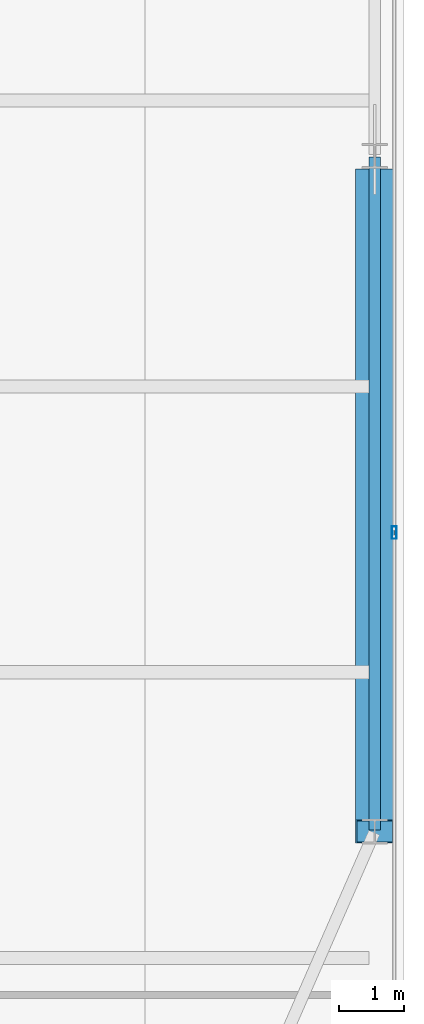
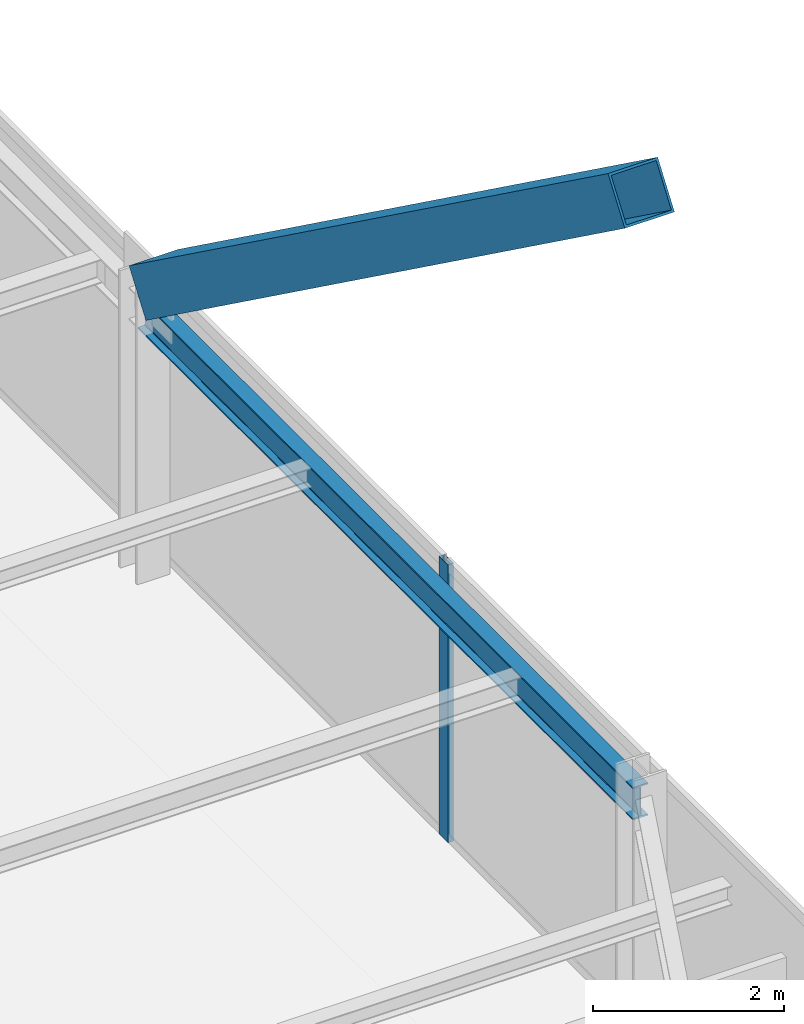
# One storey, part 18 of 37: 2 members, 1 beam, 1 element without a shape of its own.
"""IFC4 building model written with IfcOpenShell, lengths in metres."""

from ifc_helpers import new_model, si_unit, direction, frame, origin, origin_2d, place, context, subcontext, project, spatial, hollow_rectangle, i_section, extrude, source, transform, mapped, material, layer, layer_set, material_profile, profile_set, type_object, type_shapes, element, aggregate, save


model = new_model("IFC4")

# Units and contexts
model_context = context("Model", 3, precision=1e-05, world=origin(), true_north=direction((0.0, 1.0)))
body_context = subcontext(model_context, "Body", "Model", "MODEL_VIEW")
ifc_project = project(units=[si_unit("LENGTHUNIT", "METRE"), si_unit("AREAUNIT", "SQUARE_METRE"), si_unit("VOLUMEUNIT", "CUBIC_METRE"), si_unit("PLANEANGLEUNIT", "RADIAN"), si_unit("MASSUNIT", "GRAM", prefix="KILO")], contexts=[model_context])

# Site, building, storey
site_placement = place(None, origin())
site = spatial("IfcSite", under=ifc_project, at=site_placement, CompositionType="ELEMENT")
building_placement = place(site_placement, origin())
building = spatial("IfcBuilding", under=site, at=building_placement, Name="Varnel Quay Broadcast Tower", CompositionType="ELEMENT")
storey_placement = place(building_placement, frame((0.0, 0.0, 106.800048828125)))
storey = spatial("IfcBuildingStorey", under=building, at=storey_placement, Name="L25", CompositionType="ELEMENT", Elevation=106.800048828125)

# Beam
ifc_material_1 = material(Name="Structural Steel CSA G40.21 350W", Category="steel")
ifc_material_profile_1 = material_profile(ifc_material_1, i_section(OverallWidth=0.180908203125, OverallDepth=0.4169921875, WebThickness=0.010986328125, FlangeThickness=0.018310546875, FilletRadius=0.011962890625, at=origin_2d()), Name="W410X85")
ifc_profile_set_1 = profile_set([ifc_material_profile_1], Name="Structural Steel CSA G40.21 350W")
beam_type = type_object("IfcBeamType", Name="Beam_W410X85", PredefinedType="SPANDREL", material=ifc_profile_set_1)
shared_shape_1 = source(origin(), body_context, "Body", "SweptSolid", [
    extrude(i_section(OverallWidth=0.180908203125, OverallDepth=0.4169921875, WebThickness=0.010986328125, FlangeThickness=0.018310546875, FilletRadius=0.011962890625, at=origin_2d()), origin(), (0.0, 0.0, 1.0), 10.35986328125),
])
type_shapes(beam_type, [shared_shape_1])
beam_placement = place(storey_placement, frame((63.050048828125, 15.02001953125, 3.341552734375), z_axis=(0.0, 1.0, 0.0), x_axis=(-1.0, 0.0, 0.0)))
element("IfcBeam", 1, at=beam_placement, inside=storey, type_object=beam_type, Name="L25 East Spandrel TC-E1-TC-E2", PredefinedType="SPANDREL", context=body_context, shape_type="MappedRepresentation", body=[
    mapped(shared_shape_1, transform((0.0, 0.0, 0.0), x_axis=(1.0, 0.0, 0.0), y_axis=(0.0, 1.0, 0.0), z_axis=(0.0, 0.0, 1.0), scale=1.0)),
])

# Member
ifc_material_2 = material(Name="Structural Steel CSA G40.21 350WT", Category="steel")
ifc_material_profile_2 = material_profile(ifc_material_2, hollow_rectangle(XDim=0.60009765625, YDim=0.60009765625, WallThickness=0.028076171875, at=origin_2d()), Name="BOX600X600X28")
ifc_profile_set_2 = profile_set([ifc_material_profile_2], Name="Structural Steel CSA G40.21 350WT")
member_type_1 = type_object("IfcMemberType", Name="Brace_BOX600X600X28", PredefinedType="BRACE", material=ifc_profile_set_2)
shared_shape_2 = source(origin(), body_context, "Body", "SweptSolid", [
    extrude(hollow_rectangle(XDim=0.60009765625, YDim=0.60009765625, WallThickness=0.028076171875, at=origin_2d()), origin(), (0.0, 0.0, 1.0), 12.3740234375),
])
type_shapes(member_type_1, [shared_shape_2])
member_1_placement = place(storey_placement, frame((63.050048828125, 25.02392578125, 3.874755859375), z_axis=(0.0, -0.810079456088, 0.586320112928), x_axis=(1.0, 0.0, 0.0)))
element("IfcMember", 2, at=member_1_placement, inside=storey, type_object=member_type_1, Name="Zone 2 Mega-Brace E-FT2 Split Diag B2", PredefinedType="BRACE", context=body_context, shape_type="MappedRepresentation", body=[
    mapped(shared_shape_2, transform((0.0, 0.0, 0.0), x_axis=(1.0, 0.0, 0.0), y_axis=(0.0, 1.0, 0.0), z_axis=(0.0, 0.0, 1.0), scale=1.0)),
])

# Curtain wall, member
ifc_material_3 = material(Name="Anodised Bronze Aluminium 6063-T6", Category="aluminium")
ifc_layer = layer(ifc_material_3, 0.18994140625, Name="Anodised Bronze Aluminium 6063-T6")
ifc_layer_set = layer_set([ifc_layer], Name="Anodised Bronze Aluminium 6063-T6")
curtain_wall_type = type_object("IfcCurtainWallType", Name="CW_LowerTower", PredefinedType="NOTDEFINED", material=ifc_layer_set)
curtain_wall_placement = place(storey_placement, origin())
curtain_wall = element("IfcCurtainWall", 3, at=curtain_wall_placement, inside=storey, type_object=curtain_wall_type, Name="L25 East Unitised Curtain Wall", PredefinedType="NOTDEFINED")
ifc_material_profile_3 = material_profile(ifc_material_3, hollow_rectangle(XDim=0.070068359375, YDim=0.18994140625, WallThickness=0.00390625, at=origin_2d()), Name="ALU70X190X4")
ifc_profile_set_3 = profile_set([ifc_material_profile_3], Name="Anodised Bronze Aluminium 6063-T6")
member_type_2 = type_object("IfcMemberType", Name="Mull_CWS-02", PredefinedType="MULLION", material=ifc_profile_set_3)
shared_shape_3 = source(origin(), body_context, "Body", "SweptSolid", [
    extrude(hollow_rectangle(XDim=0.070068359375, YDim=0.18994140625, WallThickness=0.00390625, at=origin_2d()), origin(), (0.0, 0.0, 1.0), 3.550048828125),
])
type_shapes(member_type_2, [shared_shape_3])
member_2_placement = place(storey_placement, frame((63.35009765625, 19.60009765625, 0.0), z_axis=(0.0, 0.0, 1.0), x_axis=(-1.0, 0.0, 0.0)))
member_2 = element("IfcMember", 4, at=member_2_placement, type_object=member_type_2, Name="CWS-02 mullion 2", PredefinedType="MULLION", context=body_context, shape_type="MappedRepresentation", body=[
    mapped(shared_shape_3, transform((0.0, 0.0, 0.0), x_axis=(1.0, 0.0, 0.0), y_axis=(0.0, 1.0, 0.0), z_axis=(0.0, 0.0, 1.0), scale=1.0)),
])
aggregate(curtain_wall, [member_2])

save(model, "model.ifc")
